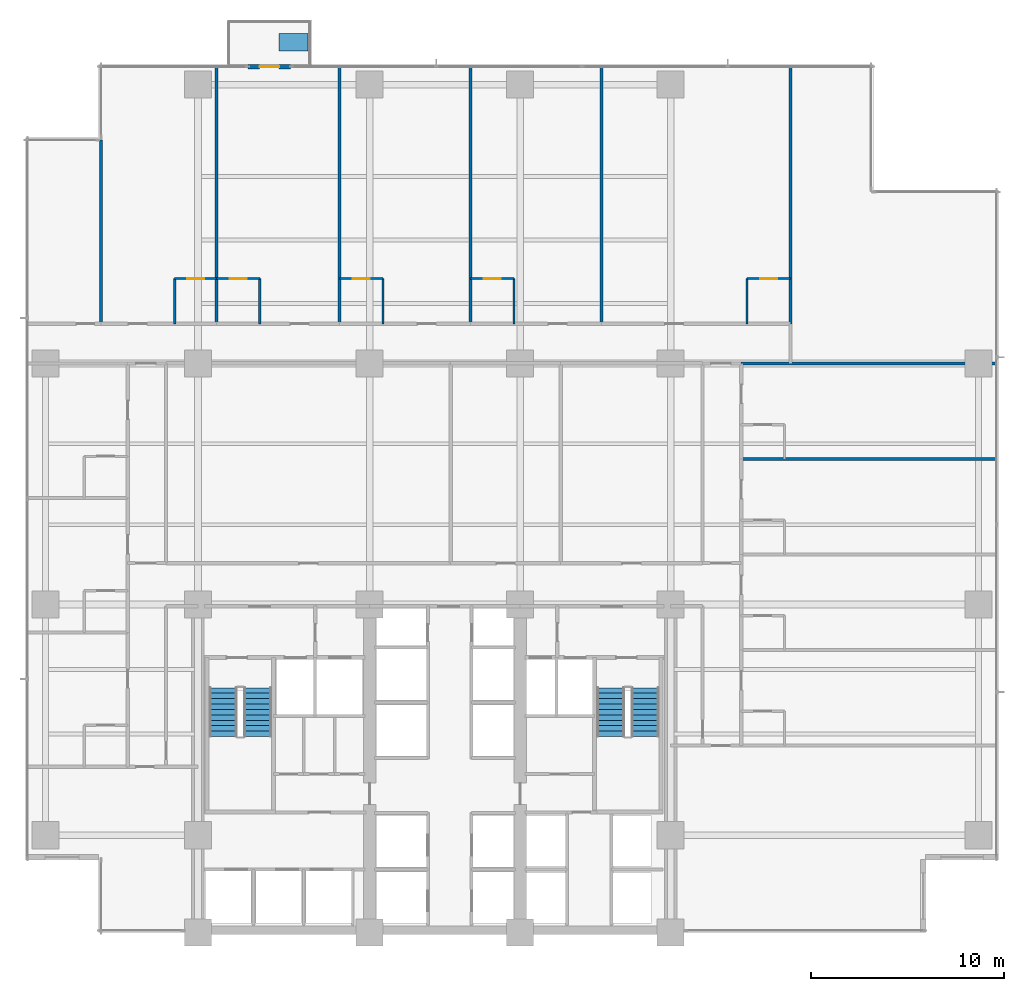
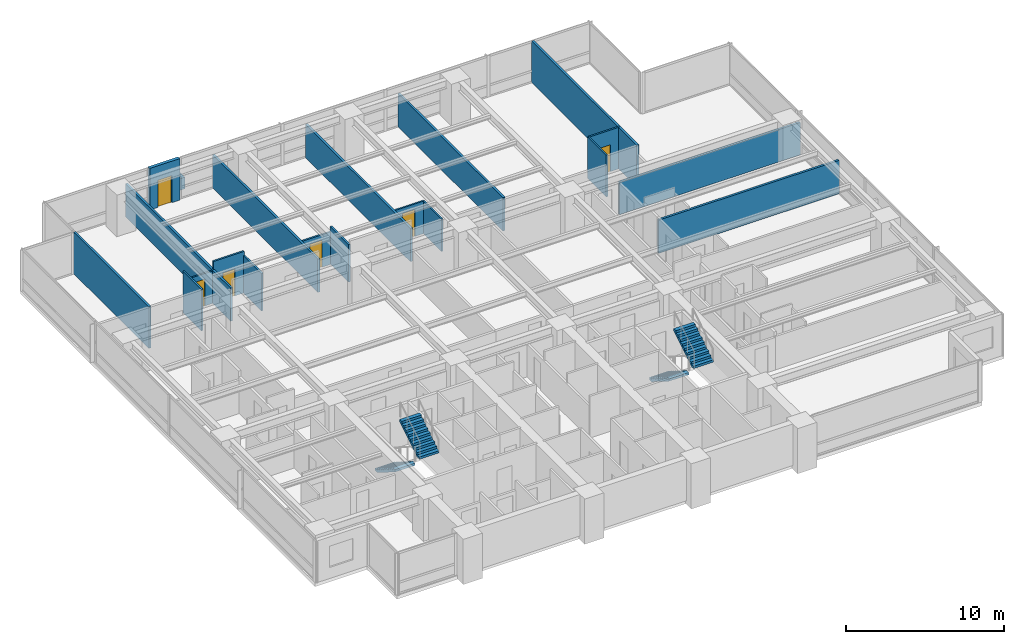
# One storey, part 11 of 17: 19 walls, 6 doors, 4 stair flights, 1 discrete accessory, 6 openings, 2 elements without a shape of their own.
"""IFC4 building model written with IfcOpenShell, lengths in metres."""

from ifc_helpers import new_model, si_unit, direction, frame, frame_2d, origin, place, context, subcontext, project, spatial, polyline, rectangle, outline, extrude, material, layer, layer_set, type_object, element, fill, aggregate, save


model = new_model("IFC4")

# Units and contexts
model_context = context("Model", 3, precision=1e-05, world=origin(), true_north=direction((0.0, 1.0)))
body_context = subcontext(model_context, "Body", "Model", "MODEL_VIEW")
ifc_project = project(units=[si_unit("LENGTHUNIT", "METRE"), si_unit("AREAUNIT", "SQUARE_METRE"), si_unit("VOLUMEUNIT", "CUBIC_METRE"), si_unit("PLANEANGLEUNIT", "RADIAN"), si_unit("MASSUNIT", "GRAM", prefix="KILO")], contexts=[model_context])

# Site, building, storey
site_placement = place(None, origin())
site = spatial("IfcSite", under=ifc_project, at=site_placement, CompositionType="ELEMENT")
building_placement = place(site_placement, origin())
building = spatial("IfcBuilding", under=site, at=building_placement, Name="Qalmaran Belvedere Hotel", CompositionType="ELEMENT")
storey_placement = place(building_placement, frame((0.0, 0.0, 33.39990234375)))
storey = spatial("IfcBuildingStorey", under=building, at=storey_placement, Name="L07", CompositionType="ELEMENT", Elevation=33.39990234375)

# Wall, opening, door
ifc_material_1 = material(Name="Anodised Bronze Cladding")
ifc_layer_1 = layer(ifc_material_1, 0.22509765625, Name="Anodised Bronze Cladding")
ifc_layer_set_1 = layer_set([ifc_layer_1], Name="Anodised Bronze Cladding")
wall_type_1 = type_object("IfcWallType", Name="WL-BAL-PORT-225", PredefinedType="SOLIDWALL", material=ifc_layer_set_1)
wall_1_placement = place(storey_placement, frame((22.89990234375, 48.3798828125, 0.0), z_axis=(0.0, 0.0, 1.0), x_axis=(1.0, 0.0, 0.0)))
wall_1 = element("IfcWall", 1, at=wall_1_placement, inside=storey, type_object=wall_type_1, Name="L07 Tree Balcony Door Portal", PredefinedType="SOLIDWALL", context=body_context, shape_type="SweptSolid", body=[
    extrude(rectangle(XDim=2.2001953125, YDim=0.22509765625, at=frame_2d((1.10009765625, 0.0))), origin(), (0.0, 0.0, 1.0), 3.22021484375),
])
opening_1_placement = place(wall_1_placement, frame((0.590087890625, 0.0, 0.0)))
opening_1 = element("IfcOpeningElement", 2, at=opening_1_placement, cuts=wall_1, Name="Opening BL-102", PredefinedType="OPENING", context=body_context, shape_type="SweptSolid", body=[
    extrude(rectangle(XDim=1.02001953125, YDim=2.10009765625, at=frame_2d((0.510009765625, 1.050048828125))), frame((0.0, 0.12255859375, 0.0), z_axis=(0.0, -1.0, 0.0), x_axis=(1.0, 0.0, 0.0)), (0.0, 0.0, 1.0), 0.2451171875),
])
ifc_material_2 = material(Name="Anodised Bronze Aluminium", Category="aluminium")
door_type_1 = type_object("IfcDoorType", Name="DR-BAL-1020X2100", OperationType="NOTDEFINED", PredefinedType="DOOR", material=ifc_material_2)
door_1_placement = place(opening_1_placement, origin())
door_1 = element("IfcDoor", 3, at=door_1_placement, inside=storey, type_object=door_type_1, Name="L07 Planted Tree Balcony Door", OperationType="SINGLE_SWING_RIGHT", OverallHeight=2.10009765625, OverallWidth=1.02001953125, PredefinedType="DOOR", context=body_context, shape_type="SweptSolid", body=[
    extrude(rectangle(XDim=1.02001953125, YDim=2.10009765625, at=frame_2d((0.510009765625, 1.050048828125))), frame((0.0, 0.02490234375, 0.0), z_axis=(0.0, -1.0, 0.0), x_axis=(1.0, 0.0, 0.0)), (0.0, 0.0, 1.0), 0.050048828125),
])
fill(opening_1, door_1)

ifc_material_3 = material(Name="Moisture-Resistant Gypsum")
ifc_layer_2 = layer(ifc_material_3, 0.1201171875, Name="Moisture-Resistant Gypsum")
ifc_layer_set_2 = layer_set([ifc_layer_2], Name="Moisture-Resistant Gypsum")
wall_type_2 = type_object("IfcWallType", Name="WL-INT-120-BATH", PredefinedType="PARTITIONING", material=ifc_layer_set_2)
wall_2_placement = place(storey_placement, frame((19.096435546875, 37.39990234375, 0.0), z_axis=(0.0, 0.0, 1.0), x_axis=(1.0, 0.0, 0.0)))
wall_2 = element("IfcWall", 4, at=wall_2_placement, inside=storey, type_object=wall_type_2, Name="L07 Partition WL-L07-NBN00", PredefinedType="PARTITIONING", context=body_context, shape_type="SweptSolid", body=[
    extrude(rectangle(XDim=2.16015625, YDim=0.1201171875, at=frame_2d((1.080078125, 0.0))), origin(), (0.0, 0.0, 1.0), 2.510009765625),
])
opening_2_placement = place(wall_2_placement, frame((1.519775390625, 0.0, 0.0), z_axis=(0.0, 0.0, 1.0), x_axis=(-1.0, 0.0, 0.0)))
opening_2 = element("IfcOpeningElement", 5, at=opening_2_placement, cuts=wall_2, Name="Opening D-BATH", PredefinedType="OPENING", context=body_context, shape_type="SweptSolid", body=[
    extrude(rectangle(XDim=0.8798828125, YDim=2.080078125, at=frame_2d((0.43994140625, 1.0400390625))), frame((0.0, 0.070068359375, 0.0), z_axis=(0.0, -1.0, 0.0), x_axis=(1.0, 0.0, 0.0)), (0.0, 0.0, 1.0), 0.14013671875),
])
ifc_material_4 = material(Name="Engineered Oak Veneer")
door_type_2 = type_object("IfcDoorType", Name="DR-INT-BATH-880X2080", OperationType="NOTDEFINED", PredefinedType="DOOR", material=ifc_material_4)
door_2_placement = place(opening_2_placement, origin())
door_2 = element("IfcDoor", 6, at=door_2_placement, inside=storey, type_object=door_type_2, Name="L07 Ensuite Bathroom Door N01", OperationType="SINGLE_SWING_RIGHT", OverallHeight=2.080078125, OverallWidth=0.8798828125, PredefinedType="DOOR", context=body_context, shape_type="SweptSolid", body=[
    extrude(rectangle(XDim=0.8798828125, YDim=2.080078125, at=frame_2d((0.43994140625, 1.0400390625))), frame((0.0, 0.02490234375, 0.0), z_axis=(0.0, -1.0, 0.0), x_axis=(1.0, 0.0, 0.0)), (0.0, 0.0, 1.0), 0.050048828125),
])
fill(opening_2, door_2)

# Wall
wall_3_placement = place(storey_placement, frame((19.096435546875, 35.050048828125, 0.0), z_axis=(0.0, 0.0, 1.0), x_axis=(0.0, 1.0, 0.0)))
element("IfcWall", 7, at=wall_3_placement, inside=storey, type_object=wall_type_2, Name="L07 Partition WL-L07-NBS00", PredefinedType="PARTITIONING", context=body_context, shape_type="SweptSolid", body=[
    extrude(rectangle(XDim=2.349853515625, YDim=0.1201171875, at=frame_2d((1.1748046875, 0.0))), origin(), (0.0, 0.0, 1.0), 3.22021484375),
])

# Wall, opening, door
wall_4_placement = place(storey_placement, frame((21.256591796875, 37.39990234375, 0.0), z_axis=(0.0, 0.0, 1.0), x_axis=(1.0, 0.0, 0.0)))
wall_4 = element("IfcWall", 8, at=wall_4_placement, inside=storey, type_object=wall_type_2, Name="L07 Partition WL-L07-NBN01", PredefinedType="PARTITIONING", context=body_context, shape_type="SweptSolid", body=[
    extrude(rectangle(XDim=2.25, YDim=0.1201171875, at=frame_2d((1.125, 0.0))), origin(), (0.0, 0.0, 1.0), 3.22021484375),
])
opening_3_placement = place(wall_4_placement, frame((1.56494140625, 0.0, 0.0), z_axis=(0.0, 0.0, 1.0), x_axis=(-1.0, 0.0, 0.0)))
opening_3 = element("IfcOpeningElement", 9, at=opening_3_placement, cuts=wall_4, Name="Opening D-BATH", PredefinedType="OPENING", context=body_context, shape_type="SweptSolid", body=[
    extrude(rectangle(XDim=0.8798828125, YDim=2.080078125, at=frame_2d((0.43994140625, 1.0400390625))), frame((0.0, 0.070068359375, 0.0), z_axis=(0.0, -1.0, 0.0), x_axis=(1.0, 0.0, 0.0)), (0.0, 0.0, 1.0), 0.14013671875),
])
door_3_placement = place(opening_3_placement, origin())
door_3 = element("IfcDoor", 10, at=door_3_placement, inside=storey, type_object=door_type_2, Name="L07 Ensuite Bathroom Door N02", OperationType="SINGLE_SWING_RIGHT", OverallHeight=2.080078125, OverallWidth=0.8798828125, PredefinedType="DOOR", context=body_context, shape_type="SweptSolid", body=[
    extrude(rectangle(XDim=0.8798828125, YDim=2.080078125, at=frame_2d((0.43994140625, 1.0400390625))), frame((0.0, 0.02490234375, 0.0), z_axis=(0.0, -1.0, 0.0), x_axis=(1.0, 0.0, 0.0)), (0.0, 0.0, 1.0), 0.050048828125),
])
fill(opening_3, door_3)

# Wall
wall_5_placement = place(storey_placement, frame((23.506591796875, 35.050048828125, 0.0), z_axis=(0.0, 0.0, 1.0), x_axis=(0.0, 1.0, 0.0)))
element("IfcWall", 11, at=wall_5_placement, inside=storey, type_object=wall_type_2, Name="L07 Partition WL-L07-NBS01", PredefinedType="PARTITIONING", context=body_context, shape_type="SweptSolid", body=[
    extrude(rectangle(XDim=2.349853515625, YDim=0.1201171875, at=frame_2d((1.1748046875, 0.0))), origin(), (0.0, 0.0, 1.0), 2.902099609375),
])

# Wall, opening, door
wall_6_placement = place(storey_placement, frame((27.64208984375, 37.39990234375, 0.0), z_axis=(0.0, 0.0, 1.0), x_axis=(1.0, 0.0, 0.0)))
wall_6 = element("IfcWall", 12, at=wall_6_placement, inside=storey, type_object=wall_type_2, Name="L07 Partition WL-L07-NBN02", PredefinedType="PARTITIONING", context=body_context, shape_type="SweptSolid", body=[
    extrude(rectangle(XDim=2.25, YDim=0.1201171875, at=frame_2d((1.125, 0.0))), origin(), (0.0, 0.0, 1.0), 2.510009765625),
])
opening_4_placement = place(wall_6_placement, frame((1.56494140625, 0.0, 0.0), z_axis=(0.0, 0.0, 1.0), x_axis=(-1.0, 0.0, 0.0)))
opening_4 = element("IfcOpeningElement", 13, at=opening_4_placement, cuts=wall_6, Name="Opening D-BATH", PredefinedType="OPENING", context=body_context, shape_type="SweptSolid", body=[
    extrude(rectangle(XDim=0.8798828125, YDim=2.080078125, at=frame_2d((0.43994140625, 1.0400390625))), frame((0.0, 0.070068359375, 0.0), z_axis=(0.0, -1.0, 0.0), x_axis=(1.0, 0.0, 0.0)), (0.0, 0.0, 1.0), 0.14013671875),
])
door_4_placement = place(opening_4_placement, origin())
door_4 = element("IfcDoor", 14, at=door_4_placement, inside=storey, type_object=door_type_2, Name="L07 Ensuite Bathroom Door N03", OperationType="SINGLE_SWING_RIGHT", OverallHeight=2.080078125, OverallWidth=0.8798828125, PredefinedType="DOOR", context=body_context, shape_type="SweptSolid", body=[
    extrude(rectangle(XDim=0.8798828125, YDim=2.080078125, at=frame_2d((0.43994140625, 1.0400390625))), frame((0.0, 0.02490234375, 0.0), z_axis=(0.0, -1.0, 0.0), x_axis=(1.0, 0.0, 0.0)), (0.0, 0.0, 1.0), 0.050048828125),
])
fill(opening_4, door_4)

# Wall
wall_7_placement = place(storey_placement, frame((29.89208984375, 35.050048828125, 0.0), z_axis=(0.0, 0.0, 1.0), x_axis=(0.0, 1.0, 0.0)))
element("IfcWall", 15, at=wall_7_placement, inside=storey, type_object=wall_type_2, Name="L07 Partition WL-L07-NBS02", PredefinedType="PARTITIONING", context=body_context, shape_type="SweptSolid", body=[
    extrude(rectangle(XDim=2.349853515625, YDim=0.1201171875, at=frame_2d((1.1748046875, 0.0))), origin(), (0.0, 0.0, 1.0), 2.902099609375),
])

# Wall, opening, door
wall_8_placement = place(storey_placement, frame((34.4267578125, 37.39990234375, 0.0), z_axis=(0.0, 0.0, 1.0), x_axis=(1.0, 0.0, 0.0)))
wall_8 = element("IfcWall", 16, at=wall_8_placement, inside=storey, type_object=wall_type_2, Name="L07 Partition WL-L07-NBN03", PredefinedType="PARTITIONING", context=body_context, shape_type="SweptSolid", body=[
    extrude(rectangle(XDim=2.25, YDim=0.1201171875, at=frame_2d((1.125, 0.0))), origin(), (0.0, 0.0, 1.0), 2.510009765625),
])
opening_5_placement = place(wall_8_placement, frame((1.56494140625, 0.0, 0.0), z_axis=(0.0, 0.0, 1.0), x_axis=(-1.0, 0.0, 0.0)))
opening_5 = element("IfcOpeningElement", 17, at=opening_5_placement, cuts=wall_8, Name="Opening D-BATH", PredefinedType="OPENING", context=body_context, shape_type="SweptSolid", body=[
    extrude(rectangle(XDim=0.8798828125, YDim=2.080078125, at=frame_2d((0.43994140625, 1.0400390625))), frame((0.0, 0.070068359375, 0.0), z_axis=(0.0, -1.0, 0.0), x_axis=(1.0, 0.0, 0.0)), (0.0, 0.0, 1.0), 0.14013671875),
])
door_5_placement = place(opening_5_placement, origin())
door_5 = element("IfcDoor", 18, at=door_5_placement, inside=storey, type_object=door_type_2, Name="L07 Ensuite Bathroom Door N04", OperationType="SINGLE_SWING_RIGHT", OverallHeight=2.080078125, OverallWidth=0.8798828125, PredefinedType="DOOR", context=body_context, shape_type="SweptSolid", body=[
    extrude(rectangle(XDim=0.8798828125, YDim=2.080078125, at=frame_2d((0.43994140625, 1.0400390625))), frame((0.0, 0.02490234375, 0.0), z_axis=(0.0, -1.0, 0.0), x_axis=(1.0, 0.0, 0.0)), (0.0, 0.0, 1.0), 0.050048828125),
])
fill(opening_5, door_5)

# Wall
wall_9_placement = place(storey_placement, frame((36.6767578125, 35.050048828125, 0.0), z_axis=(0.0, 0.0, 1.0), x_axis=(0.0, 1.0, 0.0)))
element("IfcWall", 19, at=wall_9_placement, inside=storey, type_object=wall_type_2, Name="L07 Partition WL-L07-NBS03", PredefinedType="PARTITIONING", context=body_context, shape_type="SweptSolid", body=[
    extrude(rectangle(XDim=2.349853515625, YDim=0.1201171875, at=frame_2d((1.1748046875, 0.0))), origin(), (0.0, 0.0, 1.0), 2.510009765625),
])

# Wall, opening, door
wall_10_placement = place(storey_placement, frame((48.75, 37.39990234375, 0.0), z_axis=(0.0, 0.0, 1.0), x_axis=(1.0, 0.0, 0.0)))
wall_10 = element("IfcWall", 20, at=wall_10_placement, inside=storey, type_object=wall_type_2, Name="L07 Partition WL-L07-NBN04", PredefinedType="PARTITIONING", context=body_context, shape_type="SweptSolid", body=[
    extrude(rectangle(XDim=2.25, YDim=0.1201171875, at=frame_2d((1.125, 0.0))), origin(), (0.0, 0.0, 1.0), 3.22021484375),
])
opening_6_placement = place(wall_10_placement, frame((1.56494140625, 0.0, 0.0), z_axis=(0.0, 0.0, 1.0), x_axis=(-1.0, 0.0, 0.0)))
opening_6 = element("IfcOpeningElement", 21, at=opening_6_placement, cuts=wall_10, Name="Opening D-BATH", PredefinedType="OPENING", context=body_context, shape_type="SweptSolid", body=[
    extrude(rectangle(XDim=0.8798828125, YDim=2.080078125, at=frame_2d((0.43994140625, 1.0400390625))), frame((0.0, 0.070068359375, 0.0), z_axis=(0.0, -1.0, 0.0), x_axis=(1.0, 0.0, 0.0)), (0.0, 0.0, 1.0), 0.14013671875),
])
door_6_placement = place(opening_6_placement, origin())
door_6 = element("IfcDoor", 22, at=door_6_placement, inside=storey, type_object=door_type_2, Name="L07 Ensuite Bathroom Door N05", OperationType="SINGLE_SWING_RIGHT", OverallHeight=2.080078125, OverallWidth=0.8798828125, PredefinedType="DOOR", context=body_context, shape_type="SweptSolid", body=[
    extrude(rectangle(XDim=0.8798828125, YDim=2.080078125, at=frame_2d((0.43994140625, 1.0400390625))), frame((0.0, 0.02490234375, 0.0), z_axis=(0.0, -1.0, 0.0), x_axis=(1.0, 0.0, 0.0)), (0.0, 0.0, 1.0), 0.050048828125),
])
fill(opening_6, door_6)

# Walls
wall_11_placement = place(storey_placement, frame((48.75, 35.050048828125, 0.0), z_axis=(0.0, 0.0, 1.0), x_axis=(0.0, 1.0, 0.0)))
element("IfcWall", 23, at=wall_11_placement, inside=storey, type_object=wall_type_2, Name="L07 Partition WL-L07-NBS04", PredefinedType="PARTITIONING", context=body_context, shape_type="SweptSolid", body=[
    extrude(rectangle(XDim=2.349853515625, YDim=0.1201171875, at=frame_2d((1.1748046875, 0.0))), origin(), (0.0, 0.0, 1.0), 3.22021484375),
])
ifc_material_5 = material(Name="Gypsum Stud Partition")
ifc_layer_3 = layer(ifc_material_5, 0.159912109375, Name="Gypsum Stud Partition")
ifc_layer_set_3 = layer_set([ifc_layer_3], Name="Gypsum Stud Partition")
wall_type_3 = type_object("IfcWallType", Name="WL-INT-160-EI60", PredefinedType="PARTITIONING", material=ifc_layer_set_3)
wall_12_placement = place(storey_placement, frame((15.27001953125, 35.050048828125, 0.0), z_axis=(0.0, 0.0, 1.0), x_axis=(0.0, 1.0, 0.0)))
element("IfcWall", 24, at=wall_12_placement, inside=storey, type_object=wall_type_3, Name="L07 Partition WL-L07-NUL", PredefinedType="PARTITIONING", context=body_context, shape_type="SweptSolid", body=[
    extrude(rectangle(XDim=9.530029296875, YDim=0.159912109375, at=frame_2d((4.76513671875, 0.0))), origin(), (0.0, 0.0, 1.0), 3.22021484375),
])
for number, where, z_axis, x_axis, name in (
    (25, (21.256591796875, 35.050048828125, 0.0), (0.0, 0.0, 1.0), (0.0, 1.0, 0.0), "L07 Partition WL-L07-NUR00"),
    (26, (27.64208984375, 35.050048828125, 0.0), (0.0, 0.0, 1.0), (0.0, 1.0, 0.0), "L07 Partition WL-L07-NUR01"),
    (27, (34.4267578125, 35.050048828125, 0.0), (0.0, 0.0, 1.0), (0.0, 1.0, 0.0), "L07 Partition WL-L07-NUR02"),
    (28, (41.21142578125, 35.050048828125, 0.0), (0.0, 0.0, 1.0), (0.0, 1.0, 0.0), "L07 Partition WL-L07-NUR03"),
):
    element("IfcWall", number, at=place(storey_placement, frame(where, z_axis=z_axis, x_axis=x_axis)), inside=storey, type_object=wall_type_3, Name=name, PredefinedType="PARTITIONING", context=body_context, shape_type="SweptSolid", body=[
        extrude(rectangle(XDim=13.329833984375, YDim=0.159912109375, at=frame_2d((6.6650390625, 0.0))), origin(), (0.0, 0.0, 1.0), 2.5830078125),
    ])
wall_13_placement = place(storey_placement, frame((51.0, 35.050048828125, 0.0), z_axis=(0.0, 0.0, 1.0), x_axis=(0.0, 1.0, 0.0)))
element("IfcWall", 29, at=wall_13_placement, inside=storey, type_object=wall_type_3, Name="L07 Partition WL-L07-NUR04", PredefinedType="PARTITIONING", context=body_context, shape_type="SweptSolid", body=[
    extrude(rectangle(XDim=13.329833984375, YDim=0.159912109375, at=frame_2d((6.6650390625, 0.0))), origin(), (0.0, 0.0, 1.0), 3.22021484375),
])
wall_14_placement = place(storey_placement, frame((48.449951171875, 28.050048828125, 0.0), z_axis=(0.0, 0.0, 1.0), x_axis=(1.0, 0.0, 0.0)))
element("IfcWall", 30, at=wall_14_placement, inside=storey, type_object=wall_type_3, Name="L07 Partition WL-L07-EU02", PredefinedType="PARTITIONING", context=body_context, shape_type="SweptSolid", body=[
    extrude(rectangle(XDim=13.22998046875, YDim=0.159912109375, at=frame_2d((6.614990234375, 0.0))), origin(), (0.0, 0.0, 1.0), 2.5830078125),
])
wall_15_placement = place(storey_placement, frame((48.449951171875, 33.0, 0.0), z_axis=(0.0, 0.0, 1.0), x_axis=(1.0, 0.0, 0.0)))
element("IfcWall", 31, at=wall_15_placement, inside=storey, type_object=wall_type_3, Name="L07 Partition WL-L07-EU03", PredefinedType="PARTITIONING", context=body_context, shape_type="SweptSolid", body=[
    extrude(rectangle(XDim=13.22998046875, YDim=0.159912109375, at=frame_2d((6.614990234375, 0.0))), origin(), (0.0, 0.0, 1.0), 2.510009765625),
])

# Stair, stair flights
ifc_material_6 = material(Name="Concrete C40/50", Category="concrete")
stair_type_1 = type_object("IfcStairType", Name="STR-ST-1-1450-R1750", PredefinedType="HALF_TURN_STAIR", material=ifc_material_6)
stair_1_placement = place(storey_placement, origin())
stair_1 = element("IfcStair", 32, at=stair_1_placement, inside=storey, type_object=stair_type_1, Name="L07 West Core Exit Stair ST-1", PredefinedType="HALF_TURN_STAIR")
ifc_layer_4 = layer(ifc_material_6, 0.14990234375, Name="Concrete C40/50")
ifc_layer_set_4 = layer_set([ifc_layer_4], Name="Concrete C40/50")
stair_flight_type_1 = type_object("IfcStairFlightType", Name="STF-ST-1-1450-R1750", PredefinedType="STRAIGHT", material=ifc_layer_set_4)
stair_flight_1_placement = place(storey_placement, frame((21.60498046875, 16.18994140625, 0.0), z_axis=(0.0, 0.0, 1.0), x_axis=(0.0, -1.0, 0.0)))
stair_flight_1 = element("IfcStairFlight", 33, at=stair_flight_1_placement, type_object=stair_flight_type_1, Name="ST-1 flight 1", NumberOfRisers=10, NumberOfTreads=9, PredefinedType="STRAIGHT", RiserHeight=0.175, TreadLength=0.28, context=body_context, shape_type="SweptSolid", body=[
    extrude(outline(polyline([(0.0, 0.0), (0.0, 0.175048828125), (0.280029296875, 0.175048828125), (0.280029296875, 0.35009765625), (0.56005859375, 0.35009765625), (0.56005859375, 0.52490234375), (0.840087890625, 0.52490234375), (0.840087890625, 0.699951171875), (1.1201171875, 0.699951171875), (1.1201171875, 0.875), (1.39990234375, 0.875), (1.39990234375, 1.050048828125), (1.679931640625, 1.050048828125), (1.679931640625, 1.22509765625), (1.9599609375, 1.22509765625), (1.9599609375, 1.39990234375), (2.239990234375, 1.39990234375), (2.239990234375, 1.574951171875), (2.52001953125, 1.574951171875), (2.52001953125, 1.75), (2.52001953125, 1.398193359375), (0.28271484375, 0.0), (0.0, 0.0)])), frame((0.0, 0.72509765625, 0.0), z_axis=(0.0, -1.0, 0.0), x_axis=(1.0, 0.0, 0.0)), (0.0, 0.0, 1.0), 1.449951171875),
])
stair_flight_2_placement = place(storey_placement, frame((23.39501953125, 13.669921875, 1.75), z_axis=(0.0, 0.0, 1.0), x_axis=(0.0, 1.0, 0.0)))
stair_flight_2 = element("IfcStairFlight", 34, at=stair_flight_2_placement, type_object=stair_flight_type_1, Name="ST-1 flight 2", NumberOfRisers=10, NumberOfTreads=9, PredefinedType="STRAIGHT", RiserHeight=0.175, TreadLength=0.28, context=body_context, shape_type="SweptSolid", body=[
    extrude(outline(polyline([(0.0, 0.0), (0.0, 0.175048828125), (0.280029296875, 0.175048828125), (0.280029296875, 0.35009765625), (0.56005859375, 0.35009765625), (0.56005859375, 0.52490234375), (0.840087890625, 0.52490234375), (0.840087890625, 0.699951171875), (1.1201171875, 0.699951171875), (1.1201171875, 0.875), (1.39990234375, 0.875), (1.39990234375, 1.050048828125), (1.679931640625, 1.050048828125), (1.679931640625, 1.22509765625), (1.9599609375, 1.22509765625), (1.9599609375, 1.39990234375), (2.239990234375, 1.39990234375), (2.239990234375, 1.574951171875), (2.52001953125, 1.574951171875), (2.52001953125, 1.75), (2.52001953125, 1.398193359375), (0.28271484375, 0.0), (0.0, 0.0)])), frame((0.0, 0.72509765625, 0.0), z_axis=(0.0, -1.0, 0.0), x_axis=(1.0, 0.0, 0.0)), (0.0, 0.0, 1.0), 1.449951171875),
])
aggregate(stair_1, [stair_flight_1, stair_flight_2])

stair_type_2 = type_object("IfcStairType", Name="STR-ST-2-1450-R1750", PredefinedType="HALF_TURN_STAIR", material=ifc_material_6)
stair_2_placement = place(storey_placement, origin())
stair_2 = element("IfcStair", 35, at=stair_2_placement, inside=storey, type_object=stair_type_2, Name="L07 East Core Exit Stair ST-2", PredefinedType="HALF_TURN_STAIR")
ifc_layer_5 = layer(ifc_material_6, 0.14990234375, Name="Concrete C40/50")
ifc_layer_set_5 = layer_set([ifc_layer_5], Name="Concrete C40/50")
stair_flight_type_2 = type_object("IfcStairFlightType", Name="STF-ST-2-1450-R1750", PredefinedType="STRAIGHT", material=ifc_layer_set_5)
stair_flight_3_placement = place(storey_placement, frame((41.68505859375, 16.18994140625, 0.0), z_axis=(0.0, 0.0, 1.0), x_axis=(0.0, -1.0, 0.0)))
stair_flight_3 = element("IfcStairFlight", 36, at=stair_flight_3_placement, type_object=stair_flight_type_2, Name="ST-2 flight 1", NumberOfRisers=10, NumberOfTreads=9, PredefinedType="STRAIGHT", RiserHeight=0.175, TreadLength=0.28, context=body_context, shape_type="SweptSolid", body=[
    extrude(outline(polyline([(0.0, 0.0), (0.0, 0.175048828125), (0.280029296875, 0.175048828125), (0.280029296875, 0.35009765625), (0.56005859375, 0.35009765625), (0.56005859375, 0.52490234375), (0.840087890625, 0.52490234375), (0.840087890625, 0.699951171875), (1.1201171875, 0.699951171875), (1.1201171875, 0.875), (1.39990234375, 0.875), (1.39990234375, 1.050048828125), (1.679931640625, 1.050048828125), (1.679931640625, 1.22509765625), (1.9599609375, 1.22509765625), (1.9599609375, 1.39990234375), (2.239990234375, 1.39990234375), (2.239990234375, 1.574951171875), (2.52001953125, 1.574951171875), (2.52001953125, 1.75), (2.52001953125, 1.398193359375), (0.28271484375, 0.0), (0.0, 0.0)])), frame((0.0, 0.72509765625, 0.0), z_axis=(0.0, -1.0, 0.0), x_axis=(1.0, 0.0, 0.0)), (0.0, 0.0, 1.0), 1.449951171875),
])
stair_flight_4_placement = place(storey_placement, frame((43.47509765625, 13.669921875, 1.75), z_axis=(0.0, 0.0, 1.0), x_axis=(0.0, 1.0, 0.0)))
stair_flight_4 = element("IfcStairFlight", 37, at=stair_flight_4_placement, type_object=stair_flight_type_2, Name="ST-2 flight 2", NumberOfRisers=10, NumberOfTreads=9, PredefinedType="STRAIGHT", RiserHeight=0.175, TreadLength=0.28, context=body_context, shape_type="SweptSolid", body=[
    extrude(outline(polyline([(0.0, 0.0), (0.0, 0.175048828125), (0.280029296875, 0.175048828125), (0.280029296875, 0.35009765625), (0.56005859375, 0.35009765625), (0.56005859375, 0.52490234375), (0.840087890625, 0.52490234375), (0.840087890625, 0.699951171875), (1.1201171875, 0.699951171875), (1.1201171875, 0.875), (1.39990234375, 0.875), (1.39990234375, 1.050048828125), (1.679931640625, 1.050048828125), (1.679931640625, 1.22509765625), (1.9599609375, 1.22509765625), (1.9599609375, 1.39990234375), (2.239990234375, 1.39990234375), (2.239990234375, 1.574951171875), (2.52001953125, 1.574951171875), (2.52001953125, 1.75), (2.52001953125, 1.398193359375), (0.28271484375, 0.0), (0.0, 0.0)])), frame((0.0, 0.72509765625, 0.0), z_axis=(0.0, -1.0, 0.0), x_axis=(1.0, 0.0, 0.0)), (0.0, 0.0, 1.0), 1.449951171875),
])
aggregate(stair_2, [stair_flight_3, stair_flight_4])

# Discrete accessory
discrete_accessory_type = type_object("IfcDiscreteAccessoryType", Name="PLN-BAL-1500", PredefinedType="USERDEFINED", material=ifc_material_6)
discrete_accessory_placement = place(storey_placement, origin())
element("IfcDiscreteAccessory", 38, at=discrete_accessory_placement, inside=storey, type_object=discrete_accessory_type, Name="L07 Sky Tree Planter", ObjectType="PLANTER", PredefinedType="USERDEFINED", context=body_context, shape_type="SweptSolid", body=[
    extrude(outline(polyline([(24.5, 49.199951171875), (26.0, 49.199951171875), (26.0, 50.10009765625), (24.5, 50.10009765625), (24.5, 49.199951171875)])), origin(), (0.0, 0.0, 1.0), 0.900146484375),
])

save(model, "model.ifc")
